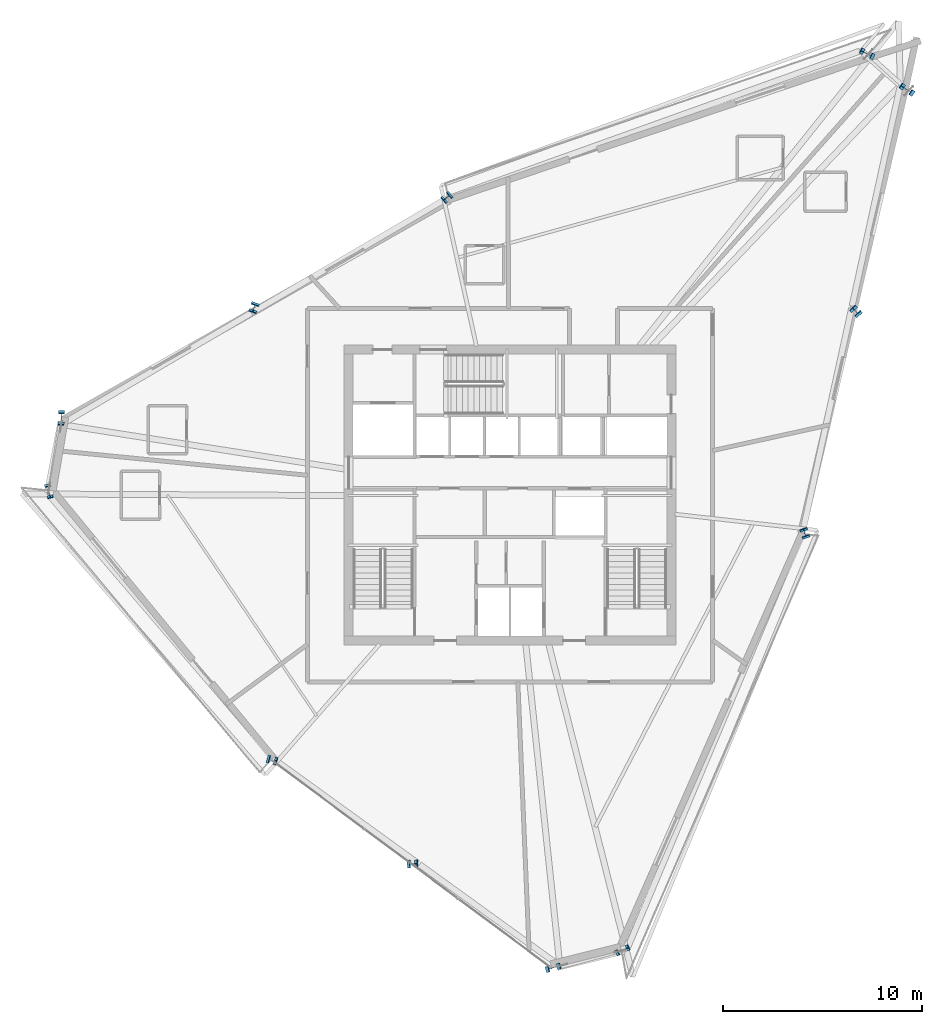
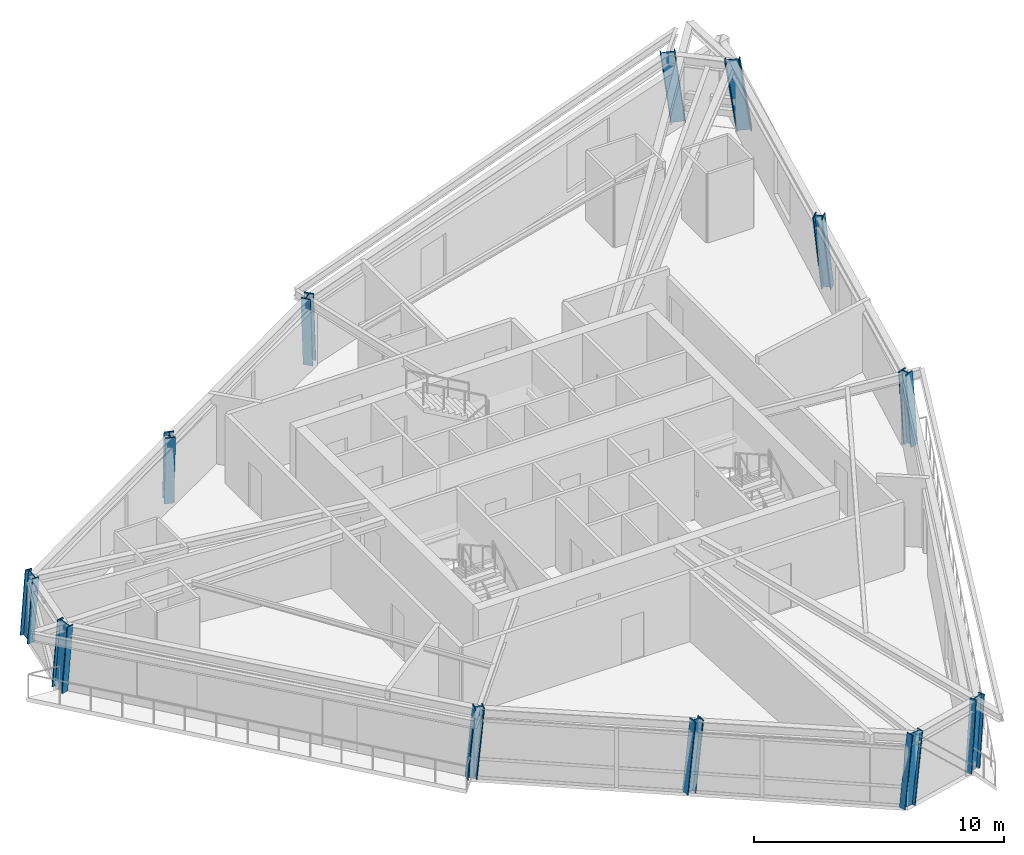
# One storey, part 1 of 14: 12 columns.
"""IFC4 building model written with IfcOpenShell, lengths in metres."""

from ifc_helpers import new_model, si_unit, direction, frame, origin, origin_2d, place, context, subcontext, project, spatial, i_section, extrude, source, transform, mapped, material, material_profile, profile_set, type_object, element, save


model = new_model("IFC4")

# Units and contexts
model_context = context("Model", 3, precision=1e-05, world=origin(), true_north=direction((0.0, 1.0)))
body_context = subcontext(model_context, "Body", "Model", "MODEL_VIEW")
ifc_project = project(units=[si_unit("LENGTHUNIT", "METRE"), si_unit("AREAUNIT", "SQUARE_METRE"), si_unit("VOLUMEUNIT", "CUBIC_METRE"), si_unit("PLANEANGLEUNIT", "RADIAN"), si_unit("MASSUNIT", "GRAM", prefix="KILO")], contexts=[model_context])

# Site, building, storey
site_placement = place(None, origin())
site = spatial("IfcSite", under=ifc_project, at=site_placement, CompositionType="ELEMENT")
building_placement = place(site_placement, origin())
building = spatial("IfcBuilding", under=site, at=building_placement, Name="Olszyna Solenne Hotel", CompositionType="ELEMENT")
storey_placement = place(building_placement, frame((0.0, 0.0, 230.89990234375)))
storey = spatial("IfcBuildingStorey", under=building, at=storey_placement, Name="L61", CompositionType="ELEMENT", Elevation=230.89990234375)

# Columns
ifc_material = material(Name="Steel S460M", Category="steel")
ifc_material_profile_1 = material_profile(ifc_material, i_section(OverallWidth=0.406005859375, OverallDepth=0.416015625, WebThickness=0.026611328125, FlangeThickness=0.04150390625, at=origin_2d()), Name="HD 400x382", Category="load-bearing")
ifc_profile_set_1 = profile_set([ifc_material_profile_1], Name="Steel S460M")
column_type_1 = type_object("IfcColumnType", Name="COL-T4", PredefinedType="COLUMN", material=ifc_profile_set_1)
shared_shape_1 = source(origin(), body_context, "Body", "SweptSolid", [
    extrude(i_section(OverallWidth=0.406005859375, OverallDepth=0.416015625, WebThickness=0.026611328125, FlangeThickness=0.04150390625, at=origin_2d()), origin(), (0.0, 0.0, 1.0), 3.44921875),
])
column_1_placement = place(storey_placement, frame((25.969482421875, 13.274658203125, 0.0), z_axis=(0.087482925626, -0.024631114982, 0.995861459189), x_axis=(0.271016201839, 0.962574785843, 0.0)))
element("IfcColumn", 1, at=column_1_placement, inside=storey, type_object=column_type_1, Name="Perimeter framed-tube column COL-T4 C-L61-07", PredefinedType="COLUMN", context=body_context, shape_type="MappedRepresentation", body=[
    mapped(shared_shape_1, transform((0.0, 0.0, 0.0), x_axis=(1.0, 0.0, 0.0), y_axis=(0.0, 1.0, 0.0), z_axis=(0.0, 0.0, 1.0), scale=1.0)),
])
ifc_material_profile_2 = material_profile(ifc_material, i_section(OverallWidth=0.304931640625, OverallDepth=0.6201171875, WebThickness=0.02099609375, FlangeThickness=0.0400390625, at=origin_2d()), Name="HEM 600", Category="load-bearing")
ifc_profile_set_2 = profile_set([ifc_material_profile_2], Name="Steel S460M")
column_type_2 = type_object("IfcColumnType", Name="COL-K3", PredefinedType="COLUMN", material=ifc_profile_set_2)
shared_shape_2 = source(origin(), body_context, "Body", "SweptSolid", [
    extrude(i_section(OverallWidth=0.304931640625, OverallDepth=0.6201171875, WebThickness=0.02099609375, FlangeThickness=0.0400390625, at=origin_2d()), origin(), (0.0, 0.0, 1.0), 3.4697265625),
])
column_2_placement = place(storey_placement, frame((58.059814453125, 46.961181640625, 0.0), z_axis=(-0.117364168692, 0.078313141339, 0.989996315044), x_axis=(-0.555045397528, -0.831820056673, 0.0)))
element("IfcColumn", 2, at=column_2_placement, inside=storey, type_object=column_type_2, Name="Perimeter framed-tube column COL-K3 C-L61-01", PredefinedType="COLUMN", context=body_context, shape_type="MappedRepresentation", body=[
    mapped(shared_shape_2, transform((0.0, 0.0, 0.0), x_axis=(1.0, 0.0, 0.0), y_axis=(0.0, 1.0, 0.0), z_axis=(0.0, 0.0, 1.0), scale=1.0)),
])
shared_shape_3 = source(origin(), body_context, "Body", "SweptSolid", [
    extrude(i_section(OverallWidth=0.304931640625, OverallDepth=0.6201171875, WebThickness=0.02099609375, FlangeThickness=0.0400390625, at=origin_2d()), origin(), (0.0, 0.0, 1.0), 3.461181640625),
])
column_3_placement = place(storey_placement, frame((56.046142578125, 48.7841796875, 0.0), z_axis=(-0.109545504942, 0.054808021468, 0.992469577937), x_axis=(-0.447443925033, -0.894311989158, 0.0)))
element("IfcColumn", 3, at=column_3_placement, inside=storey, type_object=column_type_2, Name="Perimeter framed-tube column COL-K3 C-L61-02", PredefinedType="COLUMN", context=body_context, shape_type="MappedRepresentation", body=[
    mapped(shared_shape_3, transform((0.0, 0.0, 0.0), x_axis=(1.0, 0.0, 0.0), y_axis=(0.0, 1.0, 0.0), z_axis=(0.0, 0.0, 1.0), scale=1.0)),
])
shared_shape_4 = source(origin(), body_context, "Body", "SweptSolid", [
    extrude(i_section(OverallWidth=0.406005859375, OverallDepth=0.416015625, WebThickness=0.026611328125, FlangeThickness=0.04150390625, at=origin_2d()), origin(), (0.0, 0.0, 1.0), 3.445068359375),
])
column_4_placement = place(storey_placement, frame((34.857421875, 41.614013671875, 0.0), z_axis=(-0.058182533366, -0.048827972581, 0.997111138191), x_axis=(0.642841922704, -0.765998865805, 0.0)))
element("IfcColumn", 4, at=column_4_placement, inside=storey, type_object=column_type_1, Name="Perimeter framed-tube column COL-T4 C-L61-03", PredefinedType="COLUMN", context=body_context, shape_type="MappedRepresentation", body=[
    mapped(shared_shape_4, transform((0.0, 0.0, 0.0), x_axis=(1.0, 0.0, 0.0), y_axis=(0.0, 1.0, 0.0), z_axis=(0.0, 0.0, 1.0), scale=1.0)),
])
shared_shape_5 = source(origin(), body_context, "Body", "SweptSolid", [
    extrude(i_section(OverallWidth=0.406005859375, OverallDepth=0.416015625, WebThickness=0.026611328125, FlangeThickness=0.04150390625, at=origin_2d()), origin(), (0.0, 0.0, 1.0), 3.448486328125),
])
column_5_placement = place(storey_placement, frame((25.1337890625, 36.08740234375, 0.0), z_axis=(-0.02966278613, -0.08339561351, 0.996074942344), x_axis=(0.942175412149, -0.335120116885, 0.0)))
element("IfcColumn", 5, at=column_5_placement, inside=storey, type_object=column_type_1, Name="Perimeter framed-tube column COL-T4 C-L61-04", PredefinedType="COLUMN", context=body_context, shape_type="MappedRepresentation", body=[
    mapped(shared_shape_5, transform((0.0, 0.0, 0.0), x_axis=(1.0, 0.0, 0.0), y_axis=(0.0, 1.0, 0.0), z_axis=(0.0, 0.0, 1.0), scale=1.0)),
])
shared_shape_6 = source(origin(), body_context, "Body", "SweptSolid", [
    extrude(i_section(OverallWidth=0.304931640625, OverallDepth=0.6201171875, WebThickness=0.02099609375, FlangeThickness=0.0400390625, at=origin_2d()), origin(), (0.0, 0.0, 1.0), 3.458984375),
])
column_6_placement = place(storey_placement, frame((15.41015625, 30.56103515625, 0.0), z_axis=(-0.001199851642, -0.117656040432, 0.99305368259), x_axis=(0.999948004857, -0.010197430164, 0.0)))
element("IfcColumn", 6, at=column_6_placement, inside=storey, type_object=column_type_2, Name="Perimeter framed-tube column COL-K3 C-L61-05", PredefinedType="COLUMN", context=body_context, shape_type="MappedRepresentation", body=[
    mapped(shared_shape_6, transform((0.0, 0.0, 0.0), x_axis=(1.0, 0.0, 0.0), y_axis=(0.0, 1.0, 0.0), z_axis=(0.0, 0.0, 1.0), scale=1.0)),
])
shared_shape_7 = source(origin(), body_context, "Body", "SweptSolid", [
    extrude(i_section(OverallWidth=0.304931640625, OverallDepth=0.6201171875, WebThickness=0.02099609375, FlangeThickness=0.0400390625, at=origin_2d()), origin(), (0.0, 0.0, 1.0), 3.449951171875),
])
column_7_placement = place(storey_placement, frame((14.77587890625, 26.850341796875, 0.0), z_axis=(0.020451142237, -0.090720983904, 0.995666336611), x_axis=(0.975520046372, 0.219910525274, 0.0)))
element("IfcColumn", 7, at=column_7_placement, inside=storey, type_object=column_type_2, Name="Perimeter framed-tube column COL-K3 C-L61-06", PredefinedType="COLUMN", context=body_context, shape_type="MappedRepresentation", body=[
    mapped(shared_shape_7, transform((0.0, 0.0, 0.0), x_axis=(1.0, 0.0, 0.0), y_axis=(0.0, 1.0, 0.0), z_axis=(0.0, 0.0, 1.0), scale=1.0)),
])
shared_shape_8 = source(origin(), body_context, "Body", "SweptSolid", [
    extrude(i_section(OverallWidth=0.406005859375, OverallDepth=0.416015625, WebThickness=0.026611328125, FlangeThickness=0.04150390625, at=origin_2d()), origin(), (0.0, 0.0, 1.0), 3.453857421875),
])
column_8_placement = place(storey_placement, frame((33.031982421875, 8.02880859375, 0.0), z_axis=(0.103911055621, 0.004311955369, 0.994577246653), x_axis=(-0.041460916814, 0.999140126497, 0.0)))
element("IfcColumn", 8, at=column_8_placement, inside=storey, type_object=column_type_1, Name="Perimeter framed-tube column COL-T4 C-L61-08", PredefinedType="COLUMN", context=body_context, shape_type="MappedRepresentation", body=[
    mapped(shared_shape_8, transform((0.0, 0.0, 0.0), x_axis=(1.0, 0.0, 0.0), y_axis=(0.0, 1.0, 0.0), z_axis=(0.0, 0.0, 1.0), scale=1.0)),
])
shared_shape_9 = source(origin(), body_context, "Body", "SweptSolid", [
    extrude(i_section(OverallWidth=0.304931640625, OverallDepth=0.6201171875, WebThickness=0.02099609375, FlangeThickness=0.0400390625, at=origin_2d()), origin(), (0.0, 0.0, 1.0), 3.4619140625),
])
column_9_placement = place(storey_placement, frame((40.0947265625, 2.782958984375, 0.0), z_axis=(0.120094666546, 0.033144153421, 0.992209018383), x_axis=(-0.266037825823, 0.963962590162, 0.0)))
element("IfcColumn", 9, at=column_9_placement, inside=storey, type_object=column_type_2, Name="Perimeter framed-tube column COL-K3 C-L61-09", PredefinedType="COLUMN", context=body_context, shape_type="MappedRepresentation", body=[
    mapped(shared_shape_9, transform((0.0, 0.0, 0.0), x_axis=(1.0, 0.0, 0.0), y_axis=(0.0, 1.0, 0.0), z_axis=(0.0, 0.0, 1.0), scale=1.0)),
])
shared_shape_10 = source(origin(), body_context, "Body", "SweptSolid", [
    extrude(i_section(OverallWidth=0.304931640625, OverallDepth=0.6201171875, WebThickness=0.02099609375, FlangeThickness=0.0400390625, at=origin_2d()), origin(), (0.0, 0.0, 1.0), 3.451416015625),
])
column_10_placement = place(storey_placement, frame((43.61328125, 3.660400390625, 0.0), z_axis=(0.088135401789, 0.041662722034, 0.995236840428), x_axis=(-0.427368834073, 0.90407736376, 0.0)))
element("IfcColumn", 10, at=column_10_placement, inside=storey, type_object=column_type_2, Name="Perimeter framed-tube column COL-K3 C-L61-10", PredefinedType="COLUMN", context=body_context, shape_type="MappedRepresentation", body=[
    mapped(shared_shape_10, transform((0.0, 0.0, 0.0), x_axis=(1.0, 0.0, 0.0), y_axis=(0.0, 1.0, 0.0), z_axis=(0.0, 0.0, 1.0), scale=1.0)),
])
shared_shape_11 = source(origin(), body_context, "Body", "SweptSolid", [
    extrude(i_section(OverallWidth=0.406005859375, OverallDepth=0.416015625, WebThickness=0.026611328125, FlangeThickness=0.04150390625, at=origin_2d()), origin(), (0.0, 0.0, 1.0), 3.445556640625),
])
column_11_placement = place(storey_placement, frame((52.854736328125, 24.637451171875, 0.0), z_axis=(-0.025932889628, 0.073901649952, 0.996928298008), x_axis=(-0.943590064598, -0.331115976647, 0.0)))
element("IfcColumn", 11, at=column_11_placement, inside=storey, type_object=column_type_1, Name="Perimeter framed-tube column COL-T4 C-L61-11", PredefinedType="COLUMN", context=body_context, shape_type="MappedRepresentation", body=[
    mapped(shared_shape_11, transform((0.0, 0.0, 0.0), x_axis=(1.0, 0.0, 0.0), y_axis=(0.0, 1.0, 0.0), z_axis=(0.0, 0.0, 1.0), scale=1.0)),
])
shared_shape_12 = source(origin(), body_context, "Body", "SweptSolid", [
    extrude(i_section(OverallWidth=0.406005859375, OverallDepth=0.416015625, WebThickness=0.026611328125, FlangeThickness=0.04150390625, at=origin_2d()), origin(), (0.0, 0.0, 1.0), 3.4541015625),
])
column_12_placement = place(storey_placement, frame((55.457275390625, 35.79931640625, 0.0), z_axis=(-0.071883783203, 0.076195396552, 0.994498357594), x_axis=(-0.727387297644, -0.686227162991, 0.0)))
element("IfcColumn", 12, at=column_12_placement, inside=storey, type_object=column_type_1, Name="Perimeter framed-tube column COL-T4 C-L61-12", PredefinedType="COLUMN", context=body_context, shape_type="MappedRepresentation", body=[
    mapped(shared_shape_12, transform((0.0, 0.0, 0.0), x_axis=(1.0, 0.0, 0.0), y_axis=(0.0, 1.0, 0.0), z_axis=(0.0, 0.0, 1.0), scale=1.0)),
])

save(model, "model.ifc")
